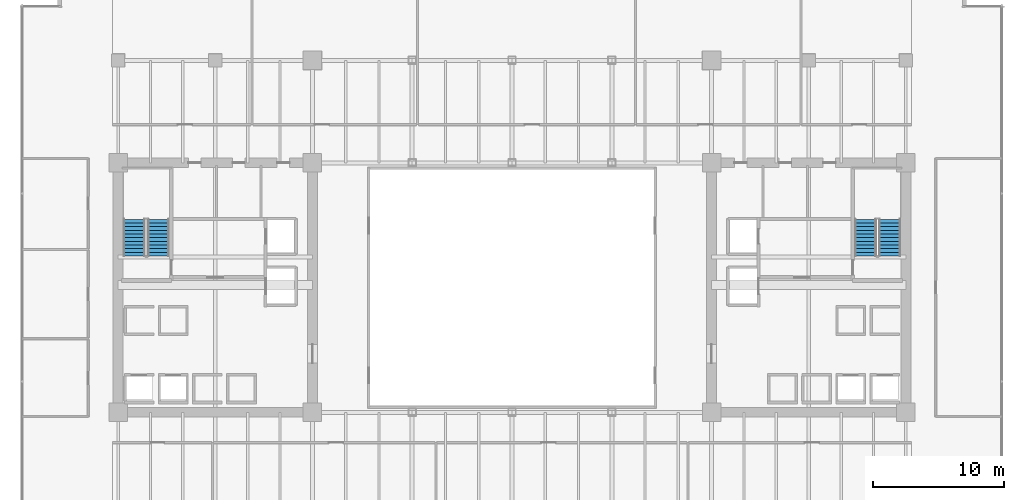
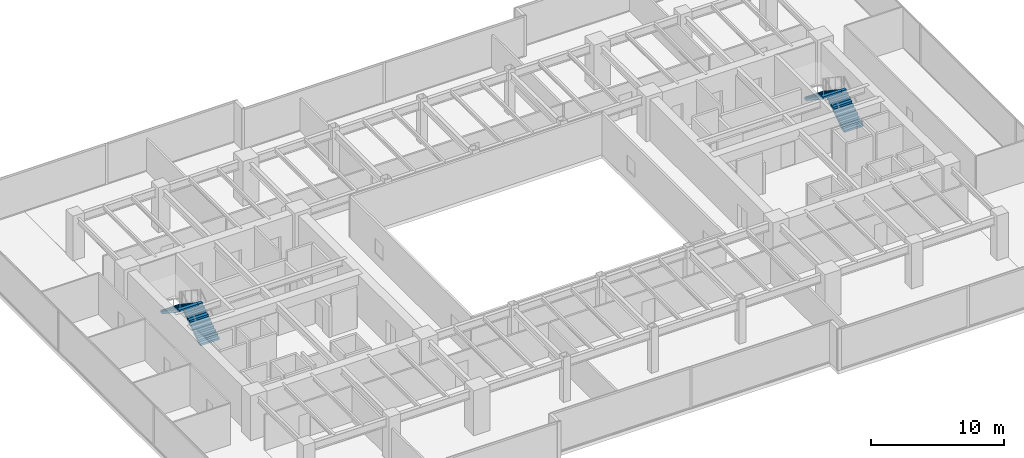
# One storey, part 33 of 37: 4 stair flights, 2 elements without a shape of their own.
"""IFC4 building model written with IfcOpenShell, lengths in metres."""

from ifc_helpers import new_model, si_unit, direction, frame, origin, place, context, subcontext, project, spatial, polyline, outline, extrude, source, transform, mapped, material, type_object, type_shapes, element, aggregate, save


model = new_model("IFC4")

# Units and contexts
model_context = context("Model", 3, precision=1e-05, world=origin(), true_north=direction((0.0, 1.0)))
body_context = subcontext(model_context, "Body", "Model", "MODEL_VIEW")
ifc_project = project(units=[si_unit("LENGTHUNIT", "METRE"), si_unit("AREAUNIT", "SQUARE_METRE"), si_unit("VOLUMEUNIT", "CUBIC_METRE"), si_unit("PLANEANGLEUNIT", "RADIAN"), si_unit("MASSUNIT", "GRAM", prefix="KILO")], contexts=[model_context])

# Site, building, storey
site_placement = place(None, origin())
site = spatial("IfcSite", under=ifc_project, at=site_placement, CompositionType="ELEMENT")
building_placement = place(site_placement, origin())
building = spatial("IfcBuilding", under=site, at=building_placement, Name="Haelvirn Gate Laboratories", CompositionType="ELEMENT")
storey_placement = place(building_placement, frame((0.0, 0.0, 78.5)))
storey = spatial("IfcBuildingStorey", under=building, at=storey_placement, Name="L19", CompositionType="ELEMENT", Elevation=78.5)

# Stair, stair flights
ifc_material = material(Name="Concrete C40/50", Category="concrete")
stair_type = type_object("IfcStairType", Name="ST-DOG-1650-R22", PredefinedType="HALF_TURN_STAIR", material=ifc_material)
stair_1_placement = place(storey_placement, origin())
stair_1 = element("IfcStair", 1, at=stair_1_placement, inside=storey, type_object=stair_type, Name="L19 Escape Stair ST1", PredefinedType="HALF_TURN_STAIR")
stair_flight_type = type_object("IfcStairFlightType", Name="STF-1650-R11", PredefinedType="STRAIGHT", material=ifc_material)
shared_shape = source(origin(), body_context, "Body", "SweptSolid", [
    extrude(outline(polyline([(0.0, 0.0), (0.0, 0.186279296875), (0.280029296875, 0.186279296875), (0.280029296875, 0.372802734375), (0.56005859375, 0.372802734375), (0.56005859375, 0.55908203125), (0.840087890625, 0.55908203125), (0.840087890625, 0.745361328125), (1.1201171875, 0.745361328125), (1.1201171875, 0.931884765625), (1.39990234375, 0.931884765625), (1.39990234375, 1.1181640625), (1.679931640625, 1.1181640625), (1.679931640625, 1.304443359375), (1.9599609375, 1.304443359375), (1.9599609375, 1.490966796875), (2.239990234375, 1.490966796875), (2.239990234375, 1.67724609375), (2.52001953125, 1.67724609375), (2.52001953125, 1.863525390625), (2.800048828125, 1.863525390625), (2.800048828125, 2.050048828125), (2.800048828125, 1.671630859375), (0.28857421875, 0.0), (0.0, 0.0)])), frame((0.0, 0.824951171875, 0.0), z_axis=(0.0, -1.0, 0.0), x_axis=(1.0, 0.0, 0.0)), (0.0, 0.0, 1.0), 1.64990234375),
])
type_shapes(stair_flight_type, [shared_shape])
stair_flight_1_placement = place(storey_placement, frame((10.47509765625, 26.699951171875, 0.0), z_axis=(0.0, 0.0, 1.0), x_axis=(0.0, 1.0, 0.0)))
stair_flight_1 = element("IfcStairFlight", 2, at=stair_flight_1_placement, type_object=stair_flight_type, Name="ST1 flight 1", NumberOfRisers=11, NumberOfTreads=10, PredefinedType="STRAIGHT", RiserHeight=0.186363636, TreadLength=0.28, context=body_context, shape_type="MappedRepresentation", body=[
    mapped(shared_shape, transform((0.0, 0.0, 0.0), scale=1.0)),
])
stair_flight_2_placement = place(storey_placement, frame((8.625, 29.5, 2.050048828125), z_axis=(0.0, 0.0, 1.0), x_axis=(0.0, -1.0, 0.0)))
stair_flight_2 = element("IfcStairFlight", 3, at=stair_flight_2_placement, type_object=stair_flight_type, Name="ST1 flight 2", NumberOfRisers=11, NumberOfTreads=10, PredefinedType="STRAIGHT", RiserHeight=0.186363636, TreadLength=0.28, context=body_context, shape_type="MappedRepresentation", body=[
    mapped(shared_shape, transform((0.0, 0.0, 0.0), scale=1.0)),
])
aggregate(stair_1, [stair_flight_1, stair_flight_2])

stair_2_placement = place(storey_placement, origin())
stair_2 = element("IfcStair", 4, at=stair_2_placement, inside=storey, type_object=stair_type, Name="L19 Escape Stair ST2", PredefinedType="HALF_TURN_STAIR")
stair_flight_3_placement = place(storey_placement, frame((66.175048828125, 26.699951171875, 0.0), z_axis=(0.0, 0.0, 1.0), x_axis=(0.0, 1.0, 0.0)))
stair_flight_3 = element("IfcStairFlight", 5, at=stair_flight_3_placement, type_object=stair_flight_type, Name="ST2 flight 1", NumberOfRisers=11, NumberOfTreads=10, PredefinedType="STRAIGHT", RiserHeight=0.186363636, TreadLength=0.28, context=body_context, shape_type="MappedRepresentation", body=[
    mapped(shared_shape, transform((0.0, 0.0, 0.0), scale=1.0)),
])
stair_flight_4_placement = place(storey_placement, frame((64.324951171875, 29.5, 2.050048828125), z_axis=(0.0, 0.0, 1.0), x_axis=(0.0, -1.0, 0.0)))
stair_flight_4 = element("IfcStairFlight", 6, at=stair_flight_4_placement, type_object=stair_flight_type, Name="ST2 flight 2", NumberOfRisers=11, NumberOfTreads=10, PredefinedType="STRAIGHT", RiserHeight=0.186363636, TreadLength=0.28, context=body_context, shape_type="MappedRepresentation", body=[
    mapped(shared_shape, transform((0.0, 0.0, 0.0), scale=1.0)),
])
aggregate(stair_2, [stair_flight_3, stair_flight_4])

save(model, "model.ifc")
